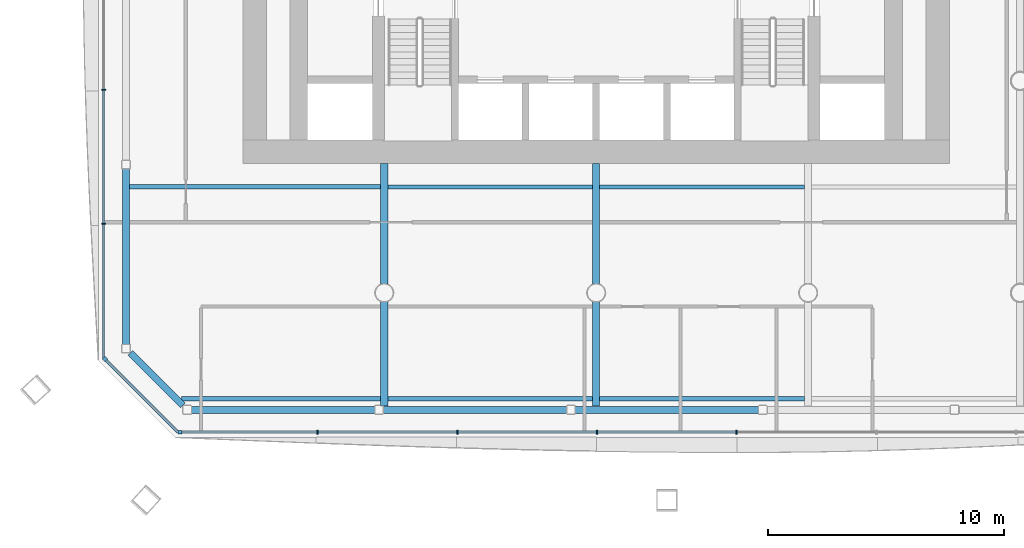
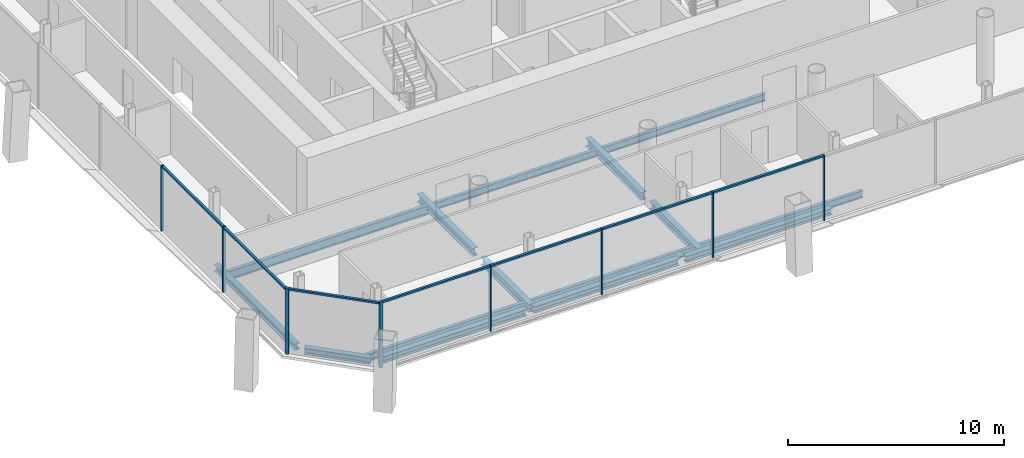
# One storey, part 3 of 19: 15 beams, 15 members, 3 elements without a shape of their own.
"""IFC4 building model written with IfcOpenShell, lengths in metres."""

from ifc_helpers import new_model, si_unit, direction, frame, origin, origin_2d, place, context, subcontext, project, spatial, rectangle, i_section, extrude, material, material_profile, profile_set, type_object, element, aggregate, save


model = new_model("IFC4")

# Units and contexts
model_context = context("Model", 3, precision=1e-05, world=origin(), true_north=direction((0.0, 1.0)))
body_context = subcontext(model_context, "Body", "Model", "MODEL_VIEW")
ifc_project = project(units=[si_unit("LENGTHUNIT", "METRE"), si_unit("AREAUNIT", "SQUARE_METRE"), si_unit("VOLUMEUNIT", "CUBIC_METRE"), si_unit("PLANEANGLEUNIT", "RADIAN"), si_unit("MASSUNIT", "GRAM", prefix="KILO")], contexts=[model_context])

# Site, building, storey
site_placement = place(None, origin())
site = spatial("IfcSite", under=ifc_project, at=site_placement, CompositionType="ELEMENT")
building_placement = place(site_placement, origin())
building = spatial("IfcBuilding", under=site, at=building_placement, Name="Tskaro Facet Tower", CompositionType="ELEMENT")
storey_placement = place(building_placement, frame((0.0, 0.0, 101.10009765625)))
storey = spatial("IfcBuildingStorey", under=building, at=storey_placement, Name="L24", CompositionType="ELEMENT", Elevation=101.10009765625)

# Curtain wall, member
ifc_material_1 = material(Name="Bronze anodised aluminium 6063-T6", Category="aluminium")
curtain_wall_type = type_object("IfcCurtainWallType", Name="Bronze office curtain wall (FW1)", PredefinedType="NOTDEFINED", material=ifc_material_1)
curtain_wall_1_placement = place(storey_placement, origin())
curtain_wall_1 = element("IfcCurtainWall", 1, at=curtain_wall_1_placement, inside=storey, type_object=curtain_wall_type, Name="FW1 south facet L24", PredefinedType="NOTDEFINED")
ifc_material_profile_1 = material_profile(ifc_material_1, rectangle(XDim=0.159912109375, YDim=0.159912109375, at=origin_2d()), Name="Corner post 160x160")
ifc_profile_set_1 = profile_set([ifc_material_profile_1], Name="Bronze anodised aluminium 6063-T6")
member_type_1 = type_object("IfcMemberType", Name="FW1 bronze corner post 160x160", PredefinedType="MULLION", material=ifc_profile_set_1)
member_1_placement = place(storey_placement, frame((-17.677001953125, -23.9150390625, 0.0), z_axis=(0.0, 0.0, 1.0), x_axis=(1.0, 0.0, 0.0)))
member_1 = element("IfcMember", 2, at=member_1_placement, type_object=member_type_1, Name="FW1 south corner post", PredefinedType="MULLION", context=body_context, shape_type="SweptSolid", body=[
    extrude(rectangle(XDim=0.159912109375, YDim=0.159912109375, at=origin_2d()), origin(), (0.0, 0.0, 1.0), 3.699951171875),
])

curtain_wall_2_placement = place(storey_placement, origin())
curtain_wall_2 = element("IfcCurtainWall", 3, at=curtain_wall_2_placement, inside=storey, type_object=curtain_wall_type, Name="FW1 south-west facet L24", PredefinedType="NOTDEFINED")
member_2_placement = place(storey_placement, frame((-20.8583984375, -20.8134765625, 0.0), z_axis=(0.0, 0.0, 1.0), x_axis=(0.707106781187, -0.707106781187, 0.0)))
member_2 = element("IfcMember", 4, at=member_2_placement, type_object=member_type_1, Name="FW1 south-west corner post", PredefinedType="MULLION", context=body_context, shape_type="SweptSolid", body=[
    extrude(rectangle(XDim=0.159912109375, YDim=0.159912109375, at=origin_2d()), origin(), (0.0, 0.0, 1.0), 3.699951171875),
])

# Member
ifc_material_profile_2 = material_profile(ifc_material_1, rectangle(XDim=0.06005859375, YDim=0.159912109375, at=origin_2d()), Name="Mullion 60x160")
ifc_profile_set_2 = profile_set([ifc_material_profile_2], Name="Bronze anodised aluminium 6063-T6")
member_type_2 = type_object("IfcMemberType", Name="FW1 bronze mullion 60x160", PredefinedType="MULLION", material=ifc_profile_set_2)
member_3_placement = place(storey_placement, frame((-11.826416015625, -23.9150390625, 0.0), z_axis=(0.0, 0.0, 1.0), x_axis=(1.0, 0.0, 0.0)))
member_3 = element("IfcMember", 5, at=member_3_placement, type_object=member_type_2, Name="FW1 south mullion 1", PredefinedType="MULLION", context=body_context, shape_type="SweptSolid", body=[
    extrude(rectangle(XDim=0.06005859375, YDim=0.159912109375, at=origin_2d()), origin(), (0.0, 0.0, 1.0), 3.699951171875),
])

member_4_placement = place(storey_placement, frame((-5.895751953125, -23.9150390625, 0.0), z_axis=(0.0, 0.0, 1.0), x_axis=(1.0, 0.0, 0.0)))
member_4 = element("IfcMember", 6, at=member_4_placement, type_object=member_type_2, Name="FW1 south mullion 2", PredefinedType="MULLION", context=body_context, shape_type="SweptSolid", body=[
    extrude(rectangle(XDim=0.06005859375, YDim=0.159912109375, at=origin_2d()), origin(), (0.0, 0.0, 1.0), 3.699951171875),
])

member_5_placement = place(storey_placement, frame((0.03466796875, -23.9150390625, 0.0), z_axis=(0.0, 0.0, 1.0), x_axis=(1.0, 0.0, 0.0)))
member_5 = element("IfcMember", 7, at=member_5_placement, type_object=member_type_2, Name="FW1 south mullion 3", PredefinedType="MULLION", context=body_context, shape_type="SweptSolid", body=[
    extrude(rectangle(XDim=0.06005859375, YDim=0.159912109375, at=origin_2d()), origin(), (0.0, 0.0, 1.0), 3.699951171875),
])

member_6_placement = place(storey_placement, frame((5.96533203125, -23.9150390625, 0.0), z_axis=(0.0, 0.0, 1.0), x_axis=(1.0, 0.0, 0.0)))
member_6 = element("IfcMember", 8, at=member_6_placement, type_object=member_type_2, Name="FW1 south mullion 4", PredefinedType="MULLION", context=body_context, shape_type="SweptSolid", body=[
    extrude(rectangle(XDim=0.06005859375, YDim=0.159912109375, at=origin_2d()), origin(), (0.0, 0.0, 1.0), 3.699951171875),
])

# Curtain wall, members
curtain_wall_3_placement = place(storey_placement, origin())
curtain_wall_3 = element("IfcCurtainWall", 9, at=curtain_wall_3_placement, inside=storey, type_object=curtain_wall_type, Name="FW1 west facet L24", PredefinedType="NOTDEFINED")
member_7_placement = place(storey_placement, frame((-20.9150390625, -9.3740234375, 0.0), z_axis=(0.0, 0.0, 1.0), x_axis=(0.0, -1.0, 0.0)))
member_7 = element("IfcMember", 10, at=member_7_placement, type_object=member_type_2, Name="FW1 west mullion 5", PredefinedType="MULLION", context=body_context, shape_type="SweptSolid", body=[
    extrude(rectangle(XDim=0.06005859375, YDim=0.159912109375, at=origin_2d()), origin(), (0.0, 0.0, 1.0), 3.699951171875),
])
member_8_placement = place(storey_placement, frame((-20.9150390625, -15.065673828125, 0.0), z_axis=(0.0, 0.0, 1.0), x_axis=(0.0, -1.0, 0.0)))
member_8 = element("IfcMember", 11, at=member_8_placement, type_object=member_type_2, Name="FW1 west mullion 6", PredefinedType="MULLION", context=body_context, shape_type="SweptSolid", body=[
    extrude(rectangle(XDim=0.06005859375, YDim=0.159912109375, at=origin_2d()), origin(), (0.0, 0.0, 1.0), 3.699951171875),
])

# Member
ifc_material_profile_3 = material_profile(ifc_material_1, rectangle(XDim=0.1201171875, YDim=0.10009765625, at=origin_2d()), Name="Transom 120x100")
ifc_profile_set_3 = profile_set([ifc_material_profile_3], Name="Bronze anodised aluminium 6063-T6")
member_type_3 = type_object("IfcMemberType", Name="FW1 bronze transom 120x100", PredefinedType="USERDEFINED", material=ifc_profile_set_3)
member_9_placement = place(storey_placement, frame((-17.596923828125, -23.9150390625, 3.64990234375), z_axis=(1.0, 0.0, 0.0), x_axis=(0.0, 1.0, 0.0)))
member_9 = element("IfcMember", 12, at=member_9_placement, type_object=member_type_3, Name="FW1 south transom 1.1", ObjectType="TRANSOM", PredefinedType="USERDEFINED", context=body_context, shape_type="SweptSolid", body=[
    extrude(rectangle(XDim=0.1201171875, YDim=0.10009765625, at=origin_2d()), origin(), (0.0, 0.0, 1.0), 5.740478515625),
])

member_10_placement = place(storey_placement, frame((-11.79638671875, -23.9150390625, 3.64990234375), z_axis=(1.0, 0.0, 0.0), x_axis=(0.0, 1.0, 0.0)))
member_10 = element("IfcMember", 13, at=member_10_placement, type_object=member_type_3, Name="FW1 south transom 2.1", ObjectType="TRANSOM", PredefinedType="USERDEFINED", context=body_context, shape_type="SweptSolid", body=[
    extrude(rectangle(XDim=0.1201171875, YDim=0.10009765625, at=origin_2d()), origin(), (0.0, 0.0, 1.0), 5.87060546875),
])

member_11_placement = place(storey_placement, frame((-5.865966796875, -23.9150390625, 3.64990234375), z_axis=(1.0, 0.0, 0.0), x_axis=(0.0, 1.0, 0.0)))
member_11 = element("IfcMember", 14, at=member_11_placement, type_object=member_type_3, Name="FW1 south transom 3.1", ObjectType="TRANSOM", PredefinedType="USERDEFINED", context=body_context, shape_type="SweptSolid", body=[
    extrude(rectangle(XDim=0.1201171875, YDim=0.10009765625, at=origin_2d()), origin(), (0.0, 0.0, 1.0), 5.87060546875),
])

member_12_placement = place(storey_placement, frame((0.064697265625, -23.9150390625, 3.64990234375), z_axis=(1.0, 0.0, 0.0), x_axis=(0.0, 1.0, 0.0)))
member_12 = element("IfcMember", 15, at=member_12_placement, type_object=member_type_3, Name="FW1 south transom 4.1", ObjectType="TRANSOM", PredefinedType="USERDEFINED", context=body_context, shape_type="SweptSolid", body=[
    extrude(rectangle(XDim=0.1201171875, YDim=0.10009765625, at=origin_2d()), origin(), (0.0, 0.0, 1.0), 5.87060546875),
])

aggregate(curtain_wall_1, [member_1, member_3, member_4, member_5, member_6, member_9, member_10, member_11, member_12])

member_13_placement = place(storey_placement, frame((-20.9150390625, -9.404052734375, 3.64990234375), z_axis=(0.0, -1.0, 0.0), x_axis=(1.0, 0.0, 0.0)))
member_13 = element("IfcMember", 16, at=member_13_placement, type_object=member_type_3, Name="FW1 west transom 6.1", ObjectType="TRANSOM", PredefinedType="USERDEFINED", context=body_context, shape_type="SweptSolid", body=[
    extrude(rectangle(XDim=0.1201171875, YDim=0.10009765625, at=origin_2d()), origin(), (0.0, 0.0, 1.0), 5.631591796875),
])

member_14_placement = place(storey_placement, frame((-20.9150390625, -15.095458984375, 3.64990234375), z_axis=(0.0, -1.0, 0.0), x_axis=(1.0, 0.0, 0.0)))
member_14 = element("IfcMember", 17, at=member_14_placement, type_object=member_type_3, Name="FW1 west transom 7.1", ObjectType="TRANSOM", PredefinedType="USERDEFINED", context=body_context, shape_type="SweptSolid", body=[
    extrude(rectangle(XDim=0.1201171875, YDim=0.10009765625, at=origin_2d()), origin(), (0.0, 0.0, 1.0), 5.66162109375),
])

aggregate(curtain_wall_3, [member_7, member_8, member_13, member_14])

member_15_placement = place(storey_placement, frame((-20.8017578125, -20.8701171875, 3.64990234375), z_axis=(0.707078431712, -0.707135129525, 0.0), x_axis=(0.707135129525, 0.707078431712, 0.0)))
member_15 = element("IfcMember", 18, at=member_15_placement, type_object=member_type_3, Name="FW1 south-west transom 1.1", ObjectType="TRANSOM", PredefinedType="USERDEFINED", context=body_context, shape_type="SweptSolid", body=[
    extrude(rectangle(XDim=0.1201171875, YDim=0.10009765625, at=origin_2d()), origin(), (0.0, 0.0, 1.0), 4.305908203125),
])

aggregate(curtain_wall_2, [member_2, member_15])

# Beams
ifc_material_2 = material(Name="Steel S355J2", Category="steel")
ifc_material_profile_4 = material_profile(ifc_material_2, i_section(OverallWidth=0.300048828125, OverallDepth=0.360107421875, WebThickness=0.012451171875, FlangeThickness=0.0224609375, FilletRadius=0.027099609375, at=origin_2d()), Name="HE 360 B")
ifc_profile_set_4 = profile_set([ifc_material_profile_4], Name="Steel S355J2")
beam_type_1 = type_object("IfcBeamType", Name="HE 360 B ring beam", PredefinedType="BEAM", material=ifc_profile_set_4)
beam_1_placement = place(storey_placement, frame((-17.18408203125, -22.965087890625, -0.320068359375), z_axis=(1.0, 0.0, 0.0), x_axis=(0.0, 1.0, 0.0)))
element("IfcBeam", 19, at=beam_1_placement, inside=storey, type_object=beam_type_1, Name="HE 360 B EB1-2", PredefinedType="BEAM", context=body_context, shape_type="SweptSolid", body=[
    extrude(i_section(OverallWidth=0.300048828125, OverallDepth=0.360107421875, WebThickness=0.012451171875, FlangeThickness=0.0224609375, FilletRadius=0.027099609375, at=origin_2d()), origin(), (0.0, 0.0, 1.0), 7.7861328125),
])
beam_2_placement = place(storey_placement, frame((-9.0380859375, -22.965087890625, -0.320068359375), z_axis=(1.0, 0.0, 0.0), x_axis=(0.0, 1.0, 0.0)))
element("IfcBeam", 20, at=beam_2_placement, inside=storey, type_object=beam_type_1, Name="HE 360 B EB2-2", PredefinedType="BEAM", context=body_context, shape_type="SweptSolid", body=[
    extrude(i_section(OverallWidth=0.300048828125, OverallDepth=0.360107421875, WebThickness=0.012451171875, FlangeThickness=0.0224609375, FilletRadius=0.027099609375, at=origin_2d()), origin(), (0.0, 0.0, 1.0), 7.78515625),
])
beam_3_placement = place(storey_placement, frame((-0.89306640625, -22.965087890625, -0.320068359375), z_axis=(1.0, 0.0, 0.0), x_axis=(0.0, 1.0, 0.0)))
element("IfcBeam", 21, at=beam_3_placement, inside=storey, type_object=beam_type_1, Name="HE 360 B EB3-2", PredefinedType="BEAM", context=body_context, shape_type="SweptSolid", body=[
    extrude(i_section(OverallWidth=0.300048828125, OverallDepth=0.360107421875, WebThickness=0.012451171875, FlangeThickness=0.0224609375, FilletRadius=0.027099609375, at=origin_2d()), origin(), (0.0, 0.0, 1.0), 7.7861328125),
])
beam_4_placement = place(storey_placement, frame((-19.965087890625, -12.73291015625, -0.320068359375), z_axis=(0.0, -1.0, 0.0), x_axis=(1.0, 0.0, 0.0)))
element("IfcBeam", 22, at=beam_4_placement, inside=storey, type_object=beam_type_1, Name="HE 360 B EB23-2", PredefinedType="BEAM", context=body_context, shape_type="SweptSolid", body=[
    extrude(i_section(OverallWidth=0.300048828125, OverallDepth=0.360107421875, WebThickness=0.012451171875, FlangeThickness=0.0224609375, FilletRadius=0.027099609375, at=origin_2d()), origin(), (0.0, 0.0, 1.0), 7.451171875),
])
beam_5_placement = place(storey_placement, frame((-19.779052734375, -20.5498046875, -0.320068359375), z_axis=(0.707106781187, -0.707106781187, 0.0), x_axis=(0.707106781187, 0.707106781187, 0.0)))
element("IfcBeam", 23, at=beam_5_placement, inside=storey, type_object=beam_type_1, Name="HE 360 B EB24-2", PredefinedType="BEAM", context=body_context, shape_type="SweptSolid", body=[
    extrude(i_section(OverallWidth=0.300048828125, OverallDepth=0.360107421875, WebThickness=0.012451171875, FlangeThickness=0.0224609375, FilletRadius=0.027099609375, at=origin_2d()), origin(), (0.0, 0.0, 1.0), 3.152587890625),
])
ifc_material_profile_5 = material_profile(ifc_material_2, i_section(OverallWidth=0.300048828125, OverallDepth=0.43994140625, WebThickness=0.011474609375, FlangeThickness=0.02099609375, FilletRadius=0.027099609375, at=origin_2d()), Name="HE 450 A")
ifc_profile_set_5 = profile_set([ifc_material_profile_5], Name="Steel S355J2")
beam_type_2 = type_object("IfcBeamType", Name="HE 450 A girder", PredefinedType="BEAM", material=ifc_profile_set_5)
beam_6_placement = place(storey_placement, frame((-9.0, -22.81494140625, -0.360107421875), z_axis=(0.0, 1.0, 0.0), x_axis=(-1.0, 0.0, 0.0)))
element("IfcBeam", 24, at=beam_6_placement, inside=storey, type_object=beam_type_2, Name="HE 450 A GB3-1-2", PredefinedType="BEAM", context=body_context, shape_type="SweptSolid", body=[
    extrude(i_section(OverallWidth=0.300048828125, OverallDepth=0.43994140625, WebThickness=0.011474609375, FlangeThickness=0.02099609375, FilletRadius=0.027099609375, at=origin_2d()), origin(), (0.0, 0.0, 1.0), 4.4384765625),
])
beam_7_placement = place(storey_placement, frame((-9.0, -17.62353515625, -0.360107421875), z_axis=(0.0, 1.0, 0.0), x_axis=(-1.0, 0.0, 0.0)))
element("IfcBeam", 25, at=beam_7_placement, inside=storey, type_object=beam_type_2, Name="HE 450 A GB3-2-2", PredefinedType="BEAM", context=body_context, shape_type="SweptSolid", body=[
    extrude(i_section(OverallWidth=0.300048828125, OverallDepth=0.43994140625, WebThickness=0.011474609375, FlangeThickness=0.02099609375, FilletRadius=0.027099609375, at=origin_2d()), origin(), (0.0, 0.0, 1.0), 5.12353515625),
])
beam_8_placement = place(storey_placement, frame((0.0, -22.81494140625, -0.360107421875), z_axis=(0.0, 1.0, 0.0), x_axis=(-1.0, 0.0, 0.0)))
element("IfcBeam", 26, at=beam_8_placement, inside=storey, type_object=beam_type_2, Name="HE 450 A GB4-1-2", PredefinedType="BEAM", context=body_context, shape_type="SweptSolid", body=[
    extrude(i_section(OverallWidth=0.300048828125, OverallDepth=0.43994140625, WebThickness=0.011474609375, FlangeThickness=0.02099609375, FilletRadius=0.027099609375, at=origin_2d()), origin(), (0.0, 0.0, 1.0), 4.4384765625),
])
beam_9_placement = place(storey_placement, frame((0.0, -17.62353515625, -0.360107421875), z_axis=(0.0, 1.0, 0.0), x_axis=(-1.0, 0.0, 0.0)))
element("IfcBeam", 27, at=beam_9_placement, inside=storey, type_object=beam_type_2, Name="HE 450 A GB4-2-2", PredefinedType="BEAM", context=body_context, shape_type="SweptSolid", body=[
    extrude(i_section(OverallWidth=0.300048828125, OverallDepth=0.43994140625, WebThickness=0.011474609375, FlangeThickness=0.02099609375, FilletRadius=0.027099609375, at=origin_2d()), origin(), (0.0, 0.0, 1.0), 5.12353515625),
])
ifc_material_profile_6 = material_profile(ifc_material_2, i_section(OverallWidth=0.179931640625, OverallDepth=0.39990234375, WebThickness=0.008544921875, FlangeThickness=0.013427734375, FilletRadius=0.02099609375, at=origin_2d()), Name="IPE 400")
ifc_profile_set_6 = profile_set([ifc_material_profile_6], Name="Steel S355J2")
beam_type_3 = type_object("IfcBeamType", Name="IPE 400 secondary beam", PredefinedType="BEAM", material=ifc_profile_set_6)
beam_10_placement = place(storey_placement, frame((-17.616943359375, -22.5, -0.340087890625), z_axis=(1.0, 0.0, 0.0), x_axis=(0.0, 1.0, 0.0)))
element("IfcBeam", 28, at=beam_10_placement, inside=storey, type_object=beam_type_3, Name="IPE 400 SB1a-1-2", PredefinedType="BEAM", context=body_context, shape_type="SweptSolid", body=[
    extrude(i_section(OverallWidth=0.179931640625, OverallDepth=0.39990234375, WebThickness=0.008544921875, FlangeThickness=0.013427734375, FilletRadius=0.02099609375, at=origin_2d()), origin(), (0.0, 0.0, 1.0), 8.467041015625),
])
for number, where, z_axis, x_axis, name in (
    (29, (-8.85009765625, -22.5, -0.340087890625), (1.0, 0.0, 0.0), (0.0, 1.0, 0.0), "IPE 400 SB1a-2-2"),
    (30, (0.14990234375, -22.5, -0.340087890625), (1.0, 0.0, 0.0), (0.0, 1.0, 0.0), "IPE 400 SB1a-3-2"),
    (31, (-8.85009765625, -13.5, -0.340087890625), (1.0, 0.0, 0.0), (0.0, 1.0, 0.0), "IPE 400 SB2a-2-2"),
    (32, (0.14990234375, -13.5, -0.340087890625), (1.0, 0.0, 0.0), (0.0, 1.0, 0.0), "IPE 400 SB2a-3-2"),
):
    element("IfcBeam", number, at=place(storey_placement, frame(where, z_axis=z_axis, x_axis=x_axis)), inside=storey, type_object=beam_type_3, Name=name, PredefinedType="BEAM", context=body_context, shape_type="SweptSolid", body=[
        extrude(i_section(OverallWidth=0.179931640625, OverallDepth=0.39990234375, WebThickness=0.008544921875, FlangeThickness=0.013427734375, FilletRadius=0.02099609375, at=origin_2d()), origin(), (0.0, 0.0, 1.0), 8.7001953125),
    ])
ifc_material_profile_7 = material_profile(ifc_material_2, i_section(OverallWidth=0.199951171875, OverallDepth=0.5, WebThickness=0.01025390625, FlangeThickness=0.01611328125, FilletRadius=0.02099609375, at=origin_2d()), Name="IPE 500")
ifc_profile_set_7 = profile_set([ifc_material_profile_7], Name="Steel S355J2")
beam_type_4 = type_object("IfcBeamType", Name="IPE 500 long secondary beam", PredefinedType="BEAM", material=ifc_profile_set_7)
beam_11_placement = place(storey_placement, frame((-19.81494140625, -13.5, -0.39013671875), z_axis=(1.0, 0.0, 0.0), x_axis=(0.0, 1.0, 0.0)))
element("IfcBeam", 33, at=beam_11_placement, inside=storey, type_object=beam_type_4, Name="IPE 500 LSB2a-1-2", PredefinedType="BEAM", context=body_context, shape_type="SweptSolid", body=[
    extrude(i_section(OverallWidth=0.199951171875, OverallDepth=0.5, WebThickness=0.01025390625, FlangeThickness=0.01611328125, FilletRadius=0.02099609375, at=origin_2d()), origin(), (0.0, 0.0, 1.0), 10.6650390625),
])

save(model, "model.ifc")
